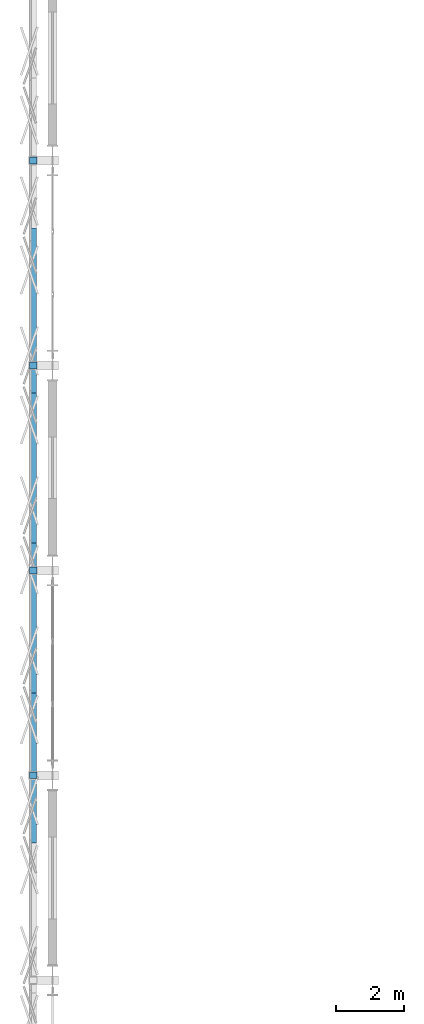
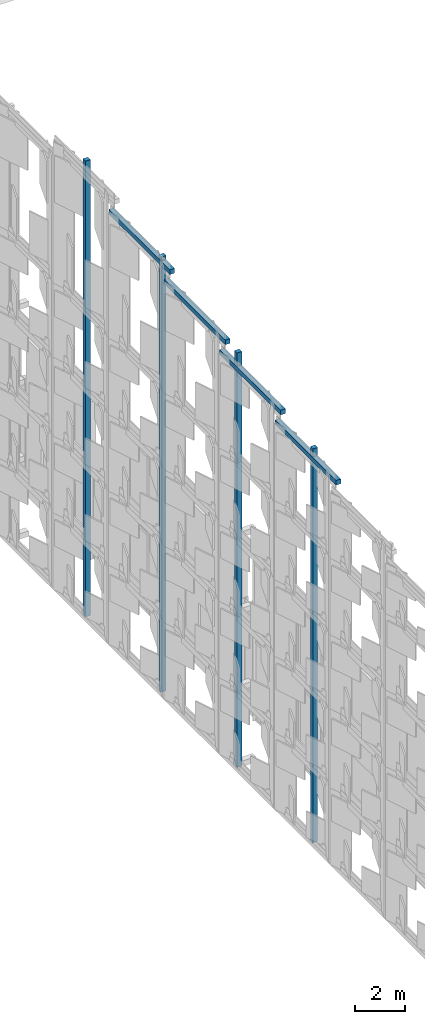
# One storey, part 168 of 210: 8 discrete accessories.
"""IFC4 building model written with IfcOpenShell, lengths in metres."""

import ifcopenshell
import ifcopenshell.guid

model = None  # the IFC model being written
_history = None  # IfcOwnerHistory: only IFC2X3 demands one
_inside = {}  # id of a spatial element -> (the spatial element, [elements in it])
_under = {}  # id of a project, library or spatial element -> (it, [spatial elements below it])
_declared = {}  # id of a project -> (the project, [libraries it declares])
_typed = {}  # id of a type object -> (the type object, [elements of that type])
_made_of = {}  # id of a material, layer set ... -> (it, [elements and type objects made of it])


def new_model(schema):
    """Start an empty IFC model of exactly this schema.

    Asked for "IFC4X3", IfcOpenShell would pick the latest addendum, in which some entities
    have other attributes; the version numbers below select the first issue.
    IFC2X3 requires an IfcOwnerHistory on every rooted entity: one is made here for all.
    """
    global model, _history
    if schema == "IFC4X3":
        model = ifcopenshell.file(schema_version=(4, 3, 0, 0))
    else:
        model = ifcopenshell.file(schema=schema)
    _inside.clear()
    _under.clear()
    _declared.clear()
    _typed.clear()
    _made_of.clear()
    _history = None
    if model.schema == "IFC2X3":
        org = make("IfcOrganization", Name="unknown")
        user = make(
            "IfcPersonAndOrganization",
            ThePerson=make("IfcPerson", FamilyName="unknown"),
            TheOrganization=org,
        )
        app = make(
            "IfcApplication",
            ApplicationDeveloper=org,
            Version="unknown",
            ApplicationFullName="unknown",
            ApplicationIdentifier="unknown",
        )
        _history = make(
            "IfcOwnerHistory",
            OwningUser=user,
            OwningApplication=app,
            ChangeAction="ADDED",
            CreationDate=0,
        )
    return model


def make(cls, **values):
    """One entity of the class cls with the attributes given. An attribute that is None is left unset."""
    return model.create_entity(
        cls, **{name: value for name, value in values.items() if value is not None}
    )


def rooted(cls, **values):
    """An entity with a GlobalId (a new one), such as an element, a storey or a relation."""
    return make(cls, GlobalId=ifcopenshell.guid.new(), OwnerHistory=_history, **values)


def si_unit(unit_type, name, prefix=None):
    """IfcSIUnit, for example si_unit("LENGTHUNIT", "METRE", prefix="MILLI")."""
    return make("IfcSIUnit", UnitType=unit_type, Prefix=prefix, Name=name)


def assignment(units):
    """IfcUnitAssignment: the units of a project."""
    return None if units is None else make("IfcUnitAssignment", Units=units)


def point(xyz):
    """IfcCartesianPoint."""
    return None if xyz is None else make("IfcCartesianPoint", Coordinates=xyz)


def direction(xyz):
    """IfcDirection."""
    return None if xyz is None else make("IfcDirection", DirectionRatios=xyz)


def frame(location, z_axis=None, x_axis=None):
    """IfcAxis2Placement3D, a coordinate frame: its origin and axes. An axis left out is left unset."""
    return make(
        "IfcAxis2Placement3D",
        Location=point(location),
        Axis=direction(z_axis),
        RefDirection=direction(x_axis),
    )


def frame_2d(location, x_axis=None):
    """IfcAxis2Placement2D, a coordinate frame in the plane: its origin and x axis."""
    return make(
        "IfcAxis2Placement2D", Location=point(location), RefDirection=direction(x_axis)
    )


def origin():
    """The frame at (0, 0, 0) with its axes left unset."""
    return frame((0.0, 0.0, 0.0))


def origin_2d():
    """The frame at (0, 0) in the plane with its x axis left unset."""
    return frame_2d((0.0, 0.0))


def place(relative_to, where):
    """IfcLocalPlacement: puts the frame where relative to a parent placement (None: the world)."""
    return make(
        "IfcLocalPlacement", PlacementRelTo=relative_to, RelativePlacement=where
    )


def context(
    kind, dimensions, precision=None, world=None, true_north=None, identifier=None
):
    """IfcGeometricRepresentationContext, for example the 3D "Model" context."""
    return make(
        "IfcGeometricRepresentationContext",
        ContextIdentifier=identifier,
        ContextType=kind,
        CoordinateSpaceDimension=dimensions,
        Precision=precision,
        WorldCoordinateSystem=world,
        TrueNorth=true_north,
    )


def subcontext(parent, identifier, kind, view, scale=None):
    """IfcGeometricRepresentationSubContext, for example "Body" below "Model"."""
    return make(
        "IfcGeometricRepresentationSubContext",
        ContextIdentifier=identifier,
        ContextType=kind,
        ParentContext=parent,
        TargetScale=scale,
        TargetView=view,
    )


def project(units=None, contexts=None):
    """IfcProject with its units and contexts."""
    return rooted(
        "IfcProject",
        Name="project",
        RepresentationContexts=contexts,
        UnitsInContext=assignment(units),
    )


def spatial(cls, under=None, at=None, **own):
    """A site, building, storey or space (cls), placed at a placement, below another one or the project."""
    s = rooted(cls, ObjectPlacement=at, **own)
    if under is not None:
        _under.setdefault(under.id(), (under, []))[1].append(s)
    return s


def profile(cls, at=None, kind="AREA", **sizes):
    """A parametric profile (cls). Its sizes go by their IFC names, for example OverallWidth=200.0."""
    return make(cls, ProfileType=kind, Position=at, **sizes)


def rectangle(**sizes):
    """IfcRectangleProfileDef."""
    return profile("IfcRectangleProfileDef", **sizes)


def extrude(swept, where, along, depth):
    """IfcExtrudedAreaSolid: the profile swept, set in the frame where, extruded along a direction by depth."""
    return make(
        "IfcExtrudedAreaSolid",
        SweptArea=swept,
        Position=where,
        ExtrudedDirection=direction(along),
        Depth=depth,
    )


def shape(context_of_items, identifier, shape_type, items):
    """IfcShapeRepresentation: the items that make up one representation, for example the "Body"."""
    return make(
        "IfcShapeRepresentation",
        ContextOfItems=context_of_items,
        RepresentationIdentifier=identifier,
        RepresentationType=shape_type,
        Items=items,
    )


def material(Name=None, Category=None):
    """IfcMaterial."""
    return make("IfcMaterial", Name=Name, Category=Category)


def made_of(thing, what):
    """Note that an element or type object is made of a material, layer set ...; save() writes the relation."""
    if what is not None:
        _made_of.setdefault(what.id(), (what, []))[1].append(thing)
    return thing


def type_object(cls, material=None, **own):
    """A type object (cls), such as IfcWallType, which elements share."""
    return made_of(rooted(cls, **own), material)


def element(
    cls,
    number,
    at=None,
    inside=None,
    cuts=None,
    type_object=None,
    material=None,
    context=None,
    identifier="Body",
    shape_type=None,
    held_by="IfcProductDefinitionShape",
    body=None,
    shapes=None,
    **own,
):
    """One element of the class cls, such as IfcWall. Its Tag is "e" and its number.

    at: its placement. inside: the storey or other place that contains it. cuts: it is an
    opening in that element (IfcRelVoidsElement). A single representation is given by context,
    identifier, shape_type and body (its items); several are given by shapes. held_by: the class
    of the entity that holds the representations. save() writes the other relations.
    """
    e = rooted(cls, Tag="e%d" % number, ObjectPlacement=at, **own)
    if body is not None:
        shapes = [shape(context, identifier, shape_type, body)]
    if shapes is not None:
        e.Representation = make(held_by, Representations=shapes)
    if inside is not None:
        _inside.setdefault(inside.id(), (inside, []))[1].append(e)
    if cuts is not None:
        rooted(
            "IfcRelVoidsElement", RelatingBuildingElement=cuts, RelatedOpeningElement=e
        )
    if type_object is not None:
        _typed.setdefault(type_object.id(), (type_object, []))[1].append(e)
    return made_of(e, material)


def aggregate(whole, parts):
    """IfcRelAggregates: a whole, such as a stair, and the parts it consists of."""
    return rooted("IfcRelAggregates", RelatingObject=whole, RelatedObjects=parts)


def save(model, path):
    """Write the relations noted so far, then the file.

    IfcRelAggregates (storeys below a building ...), IfcRelContainedInSpatialStructure (elements
    in a storey), IfcRelDefinesByType, IfcRelAssociatesMaterial and IfcRelDeclares: one each for
    every whole, place, type object, material and project.
    """
    for whole, parts in _under.values():
        aggregate(whole, parts)
    for where, things in _inside.values():
        rooted(
            "IfcRelContainedInSpatialStructure",
            RelatedElements=things,
            RelatingStructure=where,
        )
    for kind, things in _typed.values():
        rooted("IfcRelDefinesByType", RelatedObjects=things, RelatingType=kind)
    for what, things in _made_of.values():
        rooted("IfcRelAssociatesMaterial", RelatedObjects=things, RelatingMaterial=what)
    for by, libraries in _declared.values():
        rooted("IfcRelDeclares", RelatingContext=by, RelatedDefinitions=libraries)
    model.write(path)


model = new_model("IFC4")

# Units and contexts
model_context = context("Model", 3, precision=1e-05, world=origin(), true_north=direction((0.0, 1.0)))
body_context = subcontext(model_context, "Body", "Model", "MODEL_VIEW")
ifc_project = project(units=[si_unit("LENGTHUNIT", "METRE"), si_unit("AREAUNIT", "SQUARE_METRE"), si_unit("VOLUMEUNIT", "CUBIC_METRE"), si_unit("PLANEANGLEUNIT", "RADIAN"), si_unit("MASSUNIT", "GRAM", prefix="KILO")], contexts=[model_context])

# Site, building, storey
site_placement = place(None, origin())
site = spatial("IfcSite", under=ifc_project, at=site_placement, CompositionType="ELEMENT")
building_placement = place(site_placement, origin())
building = spatial("IfcBuilding", under=site, at=building_placement, Name="Kaldris Quays Convention Centre", CompositionType="ELEMENT")
storey_placement = place(building_placement, frame((0.0, 0.0, 6.0)))
storey = spatial("IfcBuildingStorey", under=building, at=storey_placement, Name="L01", CompositionType="ELEMENT", Elevation=6.0)

# Discrete accessories
ifc_material = material(Name="Steel S355J2", Category="steel")
discrete_accessory_type = type_object("IfcDiscreteAccessoryType", Name="SCREEN OUTRIGGER BRACKET BK01", PredefinedType="BRACKET", material=ifc_material)
discrete_accessory_1_placement = place(storey_placement, frame((19.43994140625, 80.0, -2.27001953125), z_axis=(0.0, 0.0, 1.0), x_axis=(0.0, 1.0, 0.0)))
element("IfcDiscreteAccessory", 1, at=discrete_accessory_1_placement, inside=storey, type_object=discrete_accessory_type, Name="V1W Screen Vertical Carrier Mullion 21", PredefinedType="BRACKET", context=body_context, shape_type="SweptSolid", body=[
    extrude(rectangle(XDim=0.199951171875, YDim=0.219970703125, at=origin_2d()), origin(), (0.0, 0.0, 1.0), 19.0400390625),
])
discrete_accessory_2_placement = place(storey_placement, frame((19.43994140625, 86.0, -2.27001953125), z_axis=(0.0, 0.0, 1.0), x_axis=(0.0, 1.0, 0.0)))
element("IfcDiscreteAccessory", 2, at=discrete_accessory_2_placement, inside=storey, type_object=discrete_accessory_type, Name="V1W Screen Vertical Carrier Mullion 26", PredefinedType="BRACKET", context=body_context, shape_type="SweptSolid", body=[
    extrude(rectangle(XDim=0.199951171875, YDim=0.219970703125, at=origin_2d()), origin(), (0.0, 0.0, 1.0), 20.0400390625),
])
discrete_accessory_3_placement = place(storey_placement, frame((19.43994140625, 92.0, -2.27001953125), z_axis=(0.0, 0.0, 1.0), x_axis=(0.0, 1.0, 0.0)))
element("IfcDiscreteAccessory", 3, at=discrete_accessory_3_placement, inside=storey, type_object=discrete_accessory_type, Name="V1W Screen Vertical Carrier Mullion 31", PredefinedType="BRACKET", context=body_context, shape_type="SweptSolid", body=[
    extrude(rectangle(XDim=0.199951171875, YDim=0.219970703125, at=origin_2d()), origin(), (0.0, 0.0, 1.0), 21.0400390625),
])
discrete_accessory_4_placement = place(storey_placement, frame((19.43994140625, 98.0, -2.27001953125), z_axis=(0.0, 0.0, 1.0), x_axis=(0.0, 1.0, 0.0)))
element("IfcDiscreteAccessory", 4, at=discrete_accessory_4_placement, inside=storey, type_object=discrete_accessory_type, Name="V1W Screen Vertical Carrier Mullion 36", PredefinedType="BRACKET", context=body_context, shape_type="SweptSolid", body=[
    extrude(rectangle(XDim=0.199951171875, YDim=0.219970703125, at=origin_2d()), origin(), (0.0, 0.0, 1.0), 22.0400390625),
])
for number, where, z_axis, x_axis, name in (
    (5, (19.419921875, 80.442138671875, 16.1708984375), (0.0, 0.0, 1.0), (0.0, 1.0, 0.0), "V1W Gable Screen Cap Rail 84"),
    (6, (19.419921875, 84.83154296875, 16.90283203125), (0.0, 0.0, 1.0), (0.0, 1.0, 0.0), "V1W Gable Screen Cap Rail 85"),
    (7, (19.419921875, 89.22119140625, 17.6337890625), (0.0, 0.0, 1.0), (0.0, 1.0, 0.0), "V1W Gable Screen Cap Rail 86"),
    (8, (19.419921875, 93.610595703125, 18.3662109375), (0.0, 0.0, 1.0), (0.0, 1.0, 0.0), "V1W Gable Screen Cap Rail 87"),
):
    element("IfcDiscreteAccessory", number, at=place(storey_placement, frame(where, z_axis=z_axis, x_axis=x_axis)), inside=storey, type_object=discrete_accessory_type, Name=name, PredefinedType="BRACKET", context=body_context, shape_type="SweptSolid", body=[
        extrude(rectangle(XDim=4.839111328125, YDim=0.219970703125, at=origin_2d()), origin(), (0.0, 0.0, 1.0), 0.219970703125),
    ])

save(model, "model.ifc")
